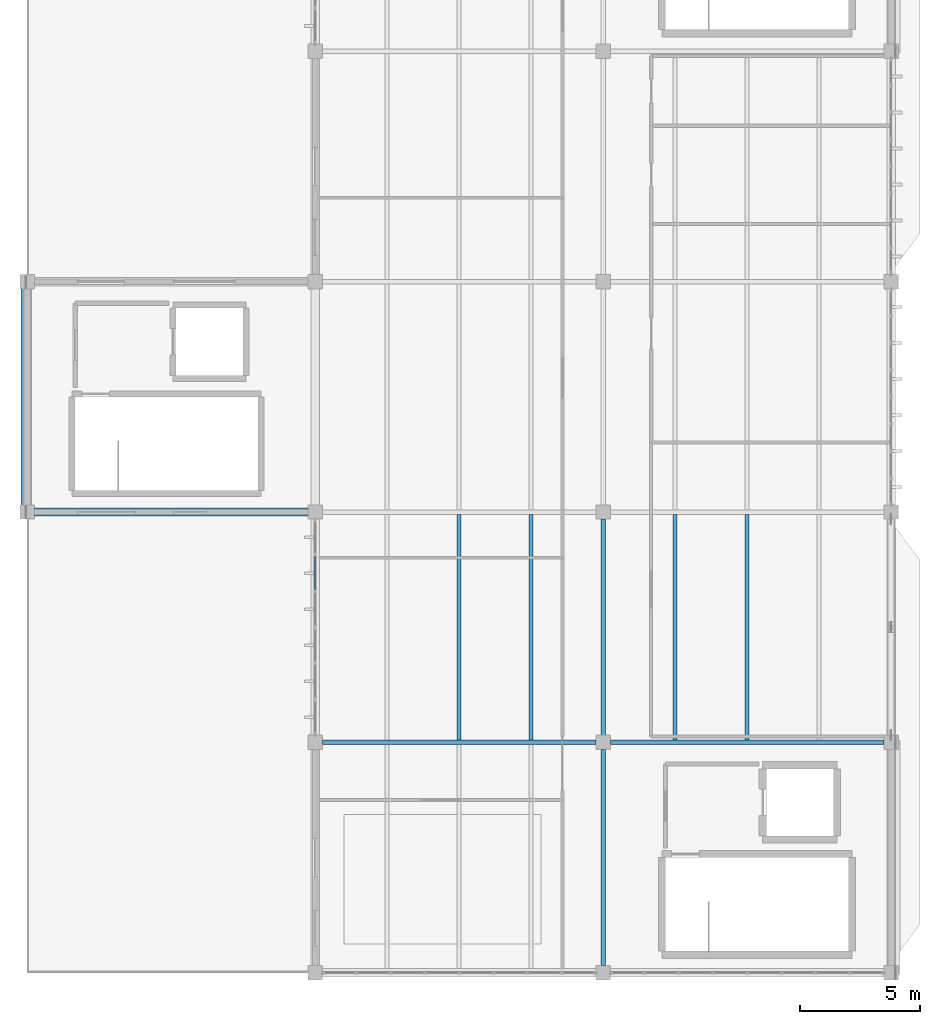
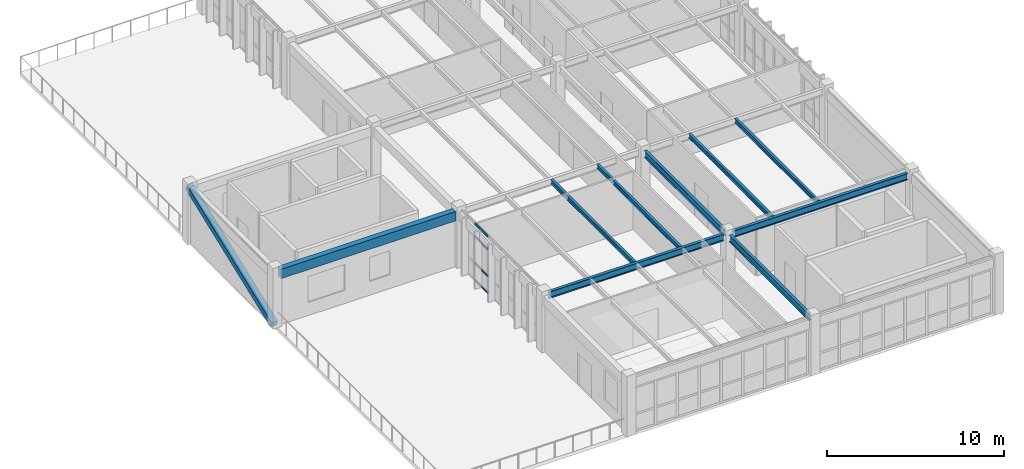
# One storey, part 7 of 28: 9 beams, 5 members, 1 element without a shape of its own.
"""IFC4 building model written with IfcOpenShell, lengths in metres."""

import ifcopenshell
import ifcopenshell.guid

model = None  # the IFC model being written
_history = None  # IfcOwnerHistory: only IFC2X3 demands one
_inside = {}  # id of a spatial element -> (the spatial element, [elements in it])
_under = {}  # id of a project, library or spatial element -> (it, [spatial elements below it])
_declared = {}  # id of a project -> (the project, [libraries it declares])
_typed = {}  # id of a type object -> (the type object, [elements of that type])
_made_of = {}  # id of a material, layer set ... -> (it, [elements and type objects made of it])


def new_model(schema):
    """Start an empty IFC model of exactly this schema.

    Asked for "IFC4X3", IfcOpenShell would pick the latest addendum, in which some entities
    have other attributes; the version numbers below select the first issue.
    IFC2X3 requires an IfcOwnerHistory on every rooted entity: one is made here for all.
    """
    global model, _history
    if schema == "IFC4X3":
        model = ifcopenshell.file(schema_version=(4, 3, 0, 0))
    else:
        model = ifcopenshell.file(schema=schema)
    _inside.clear()
    _under.clear()
    _declared.clear()
    _typed.clear()
    _made_of.clear()
    _history = None
    if model.schema == "IFC2X3":
        org = make("IfcOrganization", Name="unknown")
        user = make(
            "IfcPersonAndOrganization",
            ThePerson=make("IfcPerson", FamilyName="unknown"),
            TheOrganization=org,
        )
        app = make(
            "IfcApplication",
            ApplicationDeveloper=org,
            Version="unknown",
            ApplicationFullName="unknown",
            ApplicationIdentifier="unknown",
        )
        _history = make(
            "IfcOwnerHistory",
            OwningUser=user,
            OwningApplication=app,
            ChangeAction="ADDED",
            CreationDate=0,
        )
    return model


def make(cls, **values):
    """One entity of the class cls with the attributes given. An attribute that is None is left unset."""
    return model.create_entity(
        cls, **{name: value for name, value in values.items() if value is not None}
    )


def rooted(cls, **values):
    """An entity with a GlobalId (a new one), such as an element, a storey or a relation."""
    return make(cls, GlobalId=ifcopenshell.guid.new(), OwnerHistory=_history, **values)


def si_unit(unit_type, name, prefix=None):
    """IfcSIUnit, for example si_unit("LENGTHUNIT", "METRE", prefix="MILLI")."""
    return make("IfcSIUnit", UnitType=unit_type, Prefix=prefix, Name=name)


def assignment(units):
    """IfcUnitAssignment: the units of a project."""
    return None if units is None else make("IfcUnitAssignment", Units=units)


def point(xyz):
    """IfcCartesianPoint."""
    return None if xyz is None else make("IfcCartesianPoint", Coordinates=xyz)


def direction(xyz):
    """IfcDirection."""
    return None if xyz is None else make("IfcDirection", DirectionRatios=xyz)


def frame(location, z_axis=None, x_axis=None):
    """IfcAxis2Placement3D, a coordinate frame: its origin and axes. An axis left out is left unset."""
    return make(
        "IfcAxis2Placement3D",
        Location=point(location),
        Axis=direction(z_axis),
        RefDirection=direction(x_axis),
    )


def frame_2d(location, x_axis=None):
    """IfcAxis2Placement2D, a coordinate frame in the plane: its origin and x axis."""
    return make(
        "IfcAxis2Placement2D", Location=point(location), RefDirection=direction(x_axis)
    )


def origin():
    """The frame at (0, 0, 0) with its axes left unset."""
    return frame((0.0, 0.0, 0.0))


def origin_2d():
    """The frame at (0, 0) in the plane with its x axis left unset."""
    return frame_2d((0.0, 0.0))


def place(relative_to, where):
    """IfcLocalPlacement: puts the frame where relative to a parent placement (None: the world)."""
    return make(
        "IfcLocalPlacement", PlacementRelTo=relative_to, RelativePlacement=where
    )


def context(
    kind, dimensions, precision=None, world=None, true_north=None, identifier=None
):
    """IfcGeometricRepresentationContext, for example the 3D "Model" context."""
    return make(
        "IfcGeometricRepresentationContext",
        ContextIdentifier=identifier,
        ContextType=kind,
        CoordinateSpaceDimension=dimensions,
        Precision=precision,
        WorldCoordinateSystem=world,
        TrueNorth=true_north,
    )


def subcontext(parent, identifier, kind, view, scale=None):
    """IfcGeometricRepresentationSubContext, for example "Body" below "Model"."""
    return make(
        "IfcGeometricRepresentationSubContext",
        ContextIdentifier=identifier,
        ContextType=kind,
        ParentContext=parent,
        TargetScale=scale,
        TargetView=view,
    )


def project(units=None, contexts=None):
    """IfcProject with its units and contexts."""
    return rooted(
        "IfcProject",
        Name="project",
        RepresentationContexts=contexts,
        UnitsInContext=assignment(units),
    )


def spatial(cls, under=None, at=None, **own):
    """A site, building, storey or space (cls), placed at a placement, below another one or the project."""
    s = rooted(cls, ObjectPlacement=at, **own)
    if under is not None:
        _under.setdefault(under.id(), (under, []))[1].append(s)
    return s


def profile(cls, at=None, kind="AREA", **sizes):
    """A parametric profile (cls). Its sizes go by their IFC names, for example OverallWidth=200.0."""
    return make(cls, ProfileType=kind, Position=at, **sizes)


def rectangle(**sizes):
    """IfcRectangleProfileDef."""
    return profile("IfcRectangleProfileDef", **sizes)


def hollow_rectangle(**sizes):
    """IfcRectangleHollowProfileDef."""
    return profile("IfcRectangleHollowProfileDef", **sizes)


def i_section(**sizes):
    """IfcIShapeProfileDef."""
    return profile("IfcIShapeProfileDef", **sizes)


def extrude(swept, where, along, depth):
    """IfcExtrudedAreaSolid: the profile swept, set in the frame where, extruded along a direction by depth."""
    return make(
        "IfcExtrudedAreaSolid",
        SweptArea=swept,
        Position=where,
        ExtrudedDirection=direction(along),
        Depth=depth,
    )


def shape(context_of_items, identifier, shape_type, items):
    """IfcShapeRepresentation: the items that make up one representation, for example the "Body"."""
    return make(
        "IfcShapeRepresentation",
        ContextOfItems=context_of_items,
        RepresentationIdentifier=identifier,
        RepresentationType=shape_type,
        Items=items,
    )


def material(Name=None, Category=None):
    """IfcMaterial."""
    return make("IfcMaterial", Name=Name, Category=Category)


def layer(
    of_material, thickness, ventilated=None, Name=None, Category=None, Priority=None
):
    """IfcMaterialLayer: one layer of a wall or slab, of a material (None: an air gap)."""
    return make(
        "IfcMaterialLayer",
        Material=of_material,
        LayerThickness=thickness,
        IsVentilated=ventilated,
        Name=Name,
        Category=Category,
        Priority=Priority,
    )


def layer_set(layers, Name=None):
    """IfcMaterialLayerSet."""
    return make("IfcMaterialLayerSet", MaterialLayers=layers, LayerSetName=Name)


def material_profile(
    of_material, cross_section, Name=None, Category=None, Priority=None
):
    """IfcMaterialProfile: a cross section and its material."""
    return make(
        "IfcMaterialProfile",
        Name=Name,
        Material=of_material,
        Profile=cross_section,
        Priority=Priority,
        Category=Category,
    )


def profile_set(profiles, Name=None, composite=None):
    """IfcMaterialProfileSet."""
    return make(
        "IfcMaterialProfileSet",
        Name=Name,
        MaterialProfiles=profiles,
        CompositeProfile=composite,
    )


def made_of(thing, what):
    """Note that an element or type object is made of a material, layer set ...; save() writes the relation."""
    if what is not None:
        _made_of.setdefault(what.id(), (what, []))[1].append(thing)
    return thing


def type_object(cls, material=None, **own):
    """A type object (cls), such as IfcWallType, which elements share."""
    return made_of(rooted(cls, **own), material)


def element(
    cls,
    number,
    at=None,
    inside=None,
    cuts=None,
    type_object=None,
    material=None,
    context=None,
    identifier="Body",
    shape_type=None,
    held_by="IfcProductDefinitionShape",
    body=None,
    shapes=None,
    **own,
):
    """One element of the class cls, such as IfcWall. Its Tag is "e" and its number.

    at: its placement. inside: the storey or other place that contains it. cuts: it is an
    opening in that element (IfcRelVoidsElement). A single representation is given by context,
    identifier, shape_type and body (its items); several are given by shapes. held_by: the class
    of the entity that holds the representations. save() writes the other relations.
    """
    e = rooted(cls, Tag="e%d" % number, ObjectPlacement=at, **own)
    if body is not None:
        shapes = [shape(context, identifier, shape_type, body)]
    if shapes is not None:
        e.Representation = make(held_by, Representations=shapes)
    if inside is not None:
        _inside.setdefault(inside.id(), (inside, []))[1].append(e)
    if cuts is not None:
        rooted(
            "IfcRelVoidsElement", RelatingBuildingElement=cuts, RelatedOpeningElement=e
        )
    if type_object is not None:
        _typed.setdefault(type_object.id(), (type_object, []))[1].append(e)
    return made_of(e, material)


def aggregate(whole, parts):
    """IfcRelAggregates: a whole, such as a stair, and the parts it consists of."""
    return rooted("IfcRelAggregates", RelatingObject=whole, RelatedObjects=parts)


def save(model, path):
    """Write the relations noted so far, then the file.

    IfcRelAggregates (storeys below a building ...), IfcRelContainedInSpatialStructure (elements
    in a storey), IfcRelDefinesByType, IfcRelAssociatesMaterial and IfcRelDeclares: one each for
    every whole, place, type object, material and project.
    """
    for whole, parts in _under.values():
        aggregate(whole, parts)
    for where, things in _inside.values():
        rooted(
            "IfcRelContainedInSpatialStructure",
            RelatedElements=things,
            RelatingStructure=where,
        )
    for kind, things in _typed.values():
        rooted("IfcRelDefinesByType", RelatedObjects=things, RelatingType=kind)
    for what, things in _made_of.values():
        rooted("IfcRelAssociatesMaterial", RelatedObjects=things, RelatingMaterial=what)
    for by, libraries in _declared.values():
        rooted("IfcRelDeclares", RelatingContext=by, RelatedDefinitions=libraries)
    model.write(path)


model = new_model("IFC4")

# Units and contexts
model_context = context("Model", 3, precision=1e-05, world=origin(), true_north=direction((0.0, 1.0)))
body_context = subcontext(model_context, "Body", "Model", "MODEL_VIEW")
ifc_project = project(units=[si_unit("LENGTHUNIT", "METRE"), si_unit("AREAUNIT", "SQUARE_METRE"), si_unit("VOLUMEUNIT", "CUBIC_METRE"), si_unit("PLANEANGLEUNIT", "RADIAN"), si_unit("MASSUNIT", "GRAM", prefix="KILO")], contexts=[model_context])

# Site, building, storey
site_placement = place(None, origin())
site = spatial("IfcSite", under=ifc_project, at=site_placement, CompositionType="ELEMENT")
building_placement = place(site_placement, origin())
building = spatial("IfcBuilding", under=site, at=building_placement, Name="Pandanus Reach Market Hall", CompositionType="ELEMENT")
storey_placement = place(building_placement, frame((0.0, 0.0, 18.60009765625)))
storey = spatial("IfcBuildingStorey", under=building, at=storey_placement, Name="L04", CompositionType="ELEMENT", Elevation=18.60009765625)

# Beams
ifc_material_1 = material(Name="Concrete N40 (40 MPa)", Category="concrete")
ifc_material_profile_1 = material_profile(ifc_material_1, rectangle(XDim=0.35009765625, YDim=0.64990234375, at=origin_2d()), Name="RC350x650", Category="LoadBearing")
ifc_profile_set_1 = profile_set([ifc_material_profile_1], Name="Concrete N40 (40 MPa)")
beam_type_1 = type_object("IfcBeamType", Name="BM-RC350-E", PredefinedType="SPANDREL", material=ifc_profile_set_1)
beam_1_placement = place(storey_placement, frame((144.298095703125, 48.0, 3.534912109375), z_axis=(1.0, 0.0, 0.0), x_axis=(0.0, 1.0, 0.0)))
element("IfcBeam", 1, at=beam_1_placement, inside=storey, type_object=beam_type_1, Name="Framing beam BM-RC350-E L04.661", PredefinedType="SPANDREL", context=body_context, shape_type="SweptSolid", body=[
    extrude(rectangle(XDim=0.35009765625, YDim=0.64990234375, at=origin_2d()), origin(), (0.0, 0.0, 1.0), 11.40380859375),
])
ifc_material_2 = material(Name="Steel Grade 350 (350 MPa)", Category="steel")
ifc_material_profile_2 = material_profile(ifc_material_2, i_section(OverallWidth=0.18994140625, OverallDepth=0.45703125, WebThickness=0.009033203125, FlangeThickness=0.014404296875, at=origin_2d()), Name="460UB74.6", Category="LoadBearing")
ifc_profile_set_2 = profile_set([ifc_material_profile_2], Name="Steel Grade 350 (350 MPa)")
beam_type_2 = type_object("IfcBeamType", Name="BM-UB460-I", PredefinedType="BEAM", material=ifc_profile_set_2)
for number, where, z_axis, x_axis, name in (
    (2, (156.298095703125, 38.39990234375, 3.631103515625), (1.0, 0.0, 0.0), (0.0, 1.0, 0.0), "Framing beam BM-UB460-I L04.612"),
    (3, (168.298095703125, 38.39990234375, 3.631103515625), (1.0, 0.0, 0.0), (0.0, 1.0, 0.0), "Framing beam BM-UB460-I L04.613"),
):
    element("IfcBeam", number, at=place(storey_placement, frame(where, z_axis=z_axis, x_axis=x_axis)), inside=storey, type_object=beam_type_2, Name=name, PredefinedType="BEAM", context=body_context, shape_type="SweptSolid", body=[
        extrude(i_section(OverallWidth=0.18994140625, OverallDepth=0.45703125, WebThickness=0.009033203125, FlangeThickness=0.014404296875, at=origin_2d()), origin(), (0.0, 0.0, 1.0), 11.40380859375),
    ])
beam_2_placement = place(storey_placement, frame((168.0, 29.097900390625, 3.631103515625), z_axis=(0.0, 1.0, 0.0), x_axis=(-1.0, 0.0, 0.0)))
element("IfcBeam", 4, at=beam_2_placement, inside=storey, type_object=beam_type_2, Name="Framing beam BM-UB460-I L04.627", PredefinedType="BEAM", context=body_context, shape_type="SweptSolid", body=[
    extrude(i_section(OverallWidth=0.18994140625, OverallDepth=0.45703125, WebThickness=0.009033203125, FlangeThickness=0.014404296875, at=origin_2d()), origin(), (0.0, 0.0, 1.0), 9.004150390625),
])
beam_3_placement = place(storey_placement, frame((168.0, 38.697998046875, 3.631103515625), z_axis=(0.0, 1.0, 0.0), x_axis=(-1.0, 0.0, 0.0)))
element("IfcBeam", 5, at=beam_3_placement, inside=storey, type_object=beam_type_2, Name="Framing beam BM-UB460-I L04.628", PredefinedType="BEAM", context=body_context, shape_type="SweptSolid", body=[
    extrude(i_section(OverallWidth=0.18994140625, OverallDepth=0.45703125, WebThickness=0.009033203125, FlangeThickness=0.014404296875, at=origin_2d()), origin(), (0.0, 0.0, 1.0), 9.00390625),
])

# Curtain wall, members
ifc_material_3 = material(Name="Bronze anodised aluminium and low-E glass", Category="aluminium")
ifc_layer = layer(ifc_material_3, 0.159912109375, Name="CW-37")
ifc_layer_set = layer_set([ifc_layer], Name="Bronze anodised aluminium and low-E glass")
curtain_wall_type = type_object("IfcCurtainWallType", Name="CW-37", PredefinedType="NOTDEFINED", material=ifc_layer_set)
curtain_wall_placement = place(storey_placement, origin())
curtain_wall = element("IfcCurtainWall", 6, at=curtain_wall_placement, inside=storey, type_object=curtain_wall_type, Name="Glazed curtain wall CW-37 CW-0133", PredefinedType="NOTDEFINED")
ifc_material_4 = material(Name="Bronze anodised aluminium", Category="aluminium")
ifc_material_profile_3 = material_profile(ifc_material_4, hollow_rectangle(XDim=0.06494140625, YDim=0.1298828125, WallThickness=0.00390625, at=origin_2d()), Name="ALU65x130", Category="LoadBearing")
ifc_profile_set_3 = profile_set([ifc_material_profile_3], Name="Bronze anodised aluminium")
member_type_1 = type_object("IfcMemberType", Name="CW-T1", PredefinedType="USERDEFINED", material=ifc_profile_set_3)
member_1_placement = place(storey_placement, frame((156.0, 44.732421875, 0.032470703125), z_axis=(0.0, 1.0, 0.0), x_axis=(-1.0, 0.0, 0.0)))
member_1 = element("IfcMember", 7, at=member_1_placement, type_object=member_type_1, Name="CW-37 transom 5.1", ObjectType="TRANSOM", PredefinedType="USERDEFINED", context=body_context, shape_type="SweptSolid", body=[
    extrude(hollow_rectangle(XDim=0.06494140625, YDim=0.1298828125, WallThickness=0.00390625, at=origin_2d()), origin(), (0.0, 0.0, 1.0), 1.43505859375),
])
member_2_placement = place(storey_placement, frame((156.0, 44.732421875, 1.199951171875), z_axis=(0.0, 1.0, 0.0), x_axis=(-1.0, 0.0, 0.0)))
member_2 = element("IfcMember", 8, at=member_2_placement, type_object=member_type_1, Name="CW-37 transom 5.2", ObjectType="TRANSOM", PredefinedType="USERDEFINED", context=body_context, shape_type="SweptSolid", body=[
    extrude(hollow_rectangle(XDim=0.06494140625, YDim=0.1298828125, WallThickness=0.00390625, at=origin_2d()), origin(), (0.0, 0.0, 1.0), 1.43505859375),
])
member_3_placement = place(storey_placement, frame((156.0, 44.732421875, 3.0498046875), z_axis=(0.0, 1.0, 0.0), x_axis=(-1.0, 0.0, 0.0)))
member_3 = element("IfcMember", 9, at=member_3_placement, type_object=member_type_1, Name="CW-37 transom 5.3", ObjectType="TRANSOM", PredefinedType="USERDEFINED", context=body_context, shape_type="SweptSolid", body=[
    extrude(hollow_rectangle(XDim=0.06494140625, YDim=0.1298828125, WallThickness=0.00390625, at=origin_2d()), origin(), (0.0, 0.0, 1.0), 1.43505859375),
])
member_4_placement = place(storey_placement, frame((156.0, 44.732421875, 3.91748046875), z_axis=(0.0, 1.0, 0.0), x_axis=(-1.0, 0.0, 0.0)))
member_4 = element("IfcMember", 10, at=member_4_placement, type_object=member_type_1, Name="CW-37 transom 5.4", ObjectType="TRANSOM", PredefinedType="USERDEFINED", context=body_context, shape_type="SweptSolid", body=[
    extrude(hollow_rectangle(XDim=0.06494140625, YDim=0.1298828125, WallThickness=0.00390625, at=origin_2d()), origin(), (0.0, 0.0, 1.0), 1.43505859375),
])
aggregate(curtain_wall, [member_1, member_2, member_3, member_4])

# Beams
ifc_material_profile_4 = material_profile(ifc_material_2, i_section(OverallWidth=0.1650390625, OverallDepth=0.303955078125, WebThickness=0.006103515625, FlangeThickness=0.01025390625, at=origin_2d()), Name="310UB40.4", Category="LoadBearing")
ifc_profile_set_4 = profile_set([ifc_material_profile_4], Name="Steel Grade 350 (350 MPa)")
beam_type_3 = type_object("IfcBeamType", Name="JS-UB310-I", PredefinedType="JOIST", material=ifc_profile_set_4)
for number, where, z_axis, x_axis, name in (
    (11, (162.0, 38.492919921875, 3.70751953125), (0.0, 1.0, 0.0), (-1.0, 0.0, 0.0), "Secondary joist JS-UB310-I L04.641"),
    (12, (165.0, 38.492919921875, 3.70751953125), (0.0, 1.0, 0.0), (-1.0, 0.0, 0.0), "Secondary joist JS-UB310-I L04.642"),
    (13, (171.0, 38.492919921875, 3.70751953125), (0.0, 1.0, 0.0), (-1.0, 0.0, 0.0), "Secondary joist JS-UB310-I L04.652"),
    (14, (174.0, 38.492919921875, 3.70751953125), (0.0, 1.0, 0.0), (-1.0, 0.0, 0.0), "Secondary joist JS-UB310-I L04.653"),
):
    element("IfcBeam", number, at=place(storey_placement, frame(where, z_axis=z_axis, x_axis=x_axis)), inside=storey, type_object=beam_type_3, Name=name, PredefinedType="JOIST", context=body_context, shape_type="SweptSolid", body=[
        extrude(i_section(OverallWidth=0.1650390625, OverallDepth=0.303955078125, WebThickness=0.006103515625, FlangeThickness=0.01025390625, at=origin_2d()), origin(), (0.0, 0.0, 1.0), 9.4140625),
    ])

# Member
ifc_material_5 = material(Name="Concrete N50 (50 MPa)", Category="concrete")
ifc_material_profile_5 = material_profile(ifc_material_5, rectangle(XDim=0.39990234375, YDim=0.39990234375, at=origin_2d()), Name="RC400x400", Category="LoadBearing")
ifc_profile_set_5 = profile_set([ifc_material_profile_5], Name="Concrete N50 (50 MPa)")
member_type_2 = type_object("IfcMemberType", Name="VS-RC400-E", PredefinedType="STRUT", material=ifc_profile_set_5)
member_5_placement = place(storey_placement, frame((143.949951171875, 48.0, 0.099853515625), z_axis=(0.0, 0.933097690408, 0.359622997257), x_axis=(-1.0, 0.0, 0.0)))
element("IfcMember", 15, at=member_5_placement, inside=storey, type_object=member_type_2, Name="Sculpted concrete diagrid rib 12", PredefinedType="STRUT", context=body_context, shape_type="SweptSolid", body=[
    extrude(rectangle(XDim=0.39990234375, YDim=0.39990234375, at=origin_2d()), origin(), (0.0, 0.0, 1.0), 10.288330078125),
])

save(model, "model.ifc")
